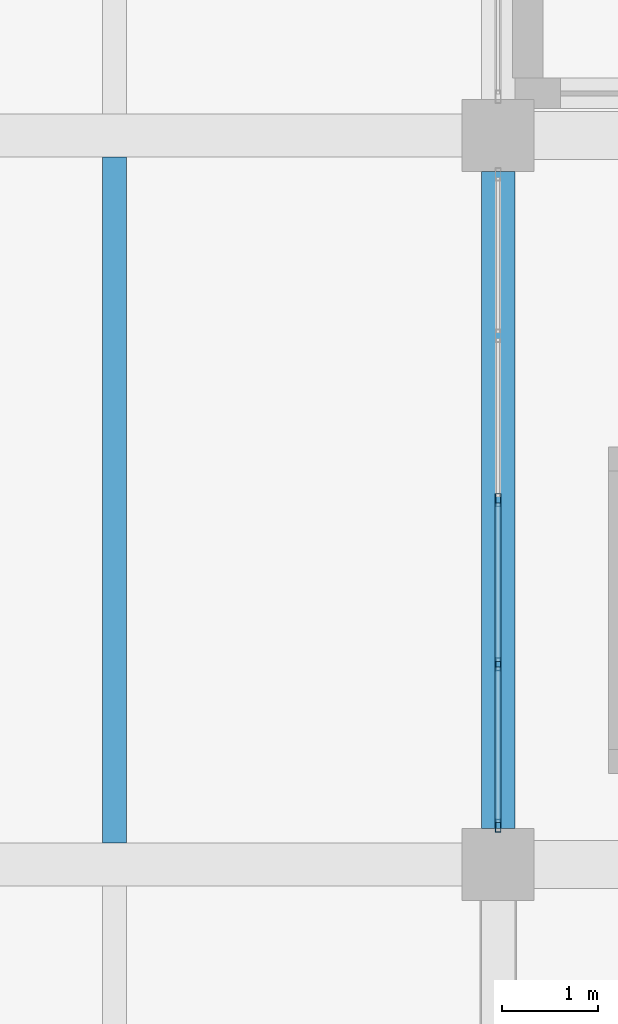
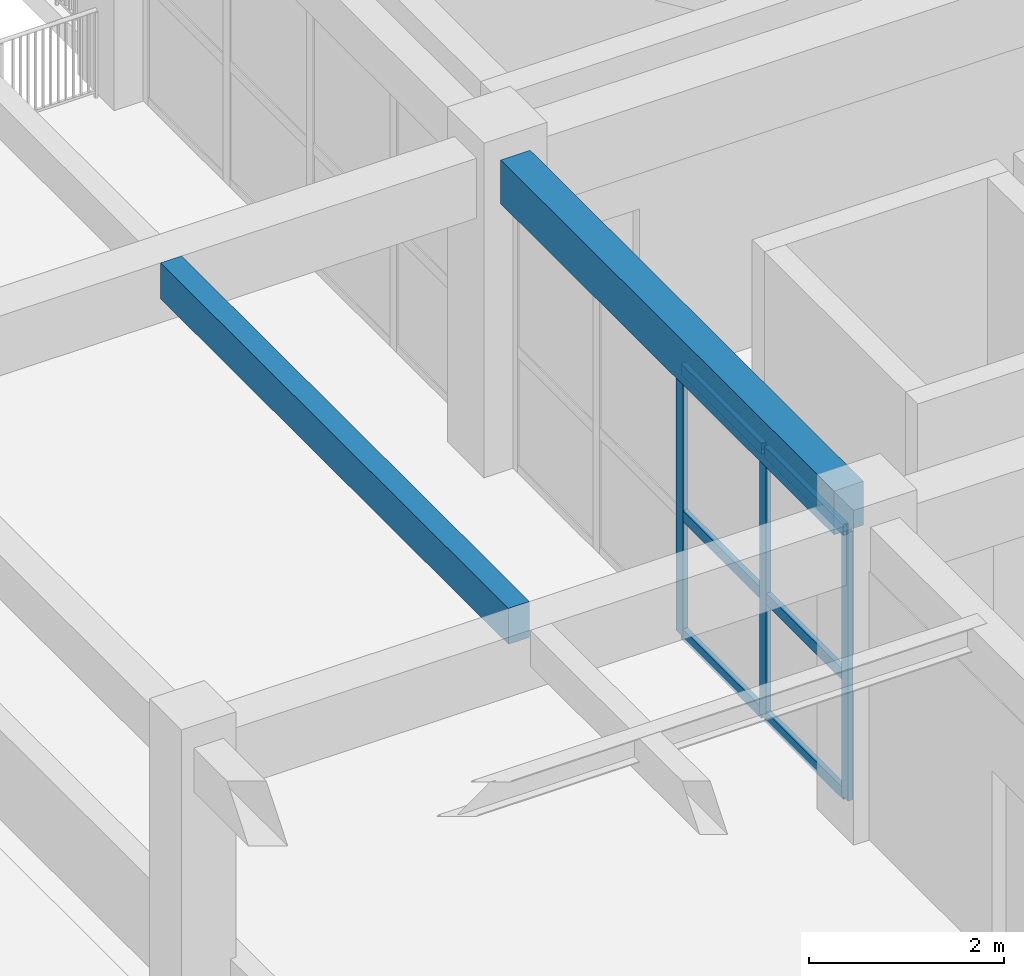
# One storey, part 9 of 63: 9 members, 2 beams, 1 element without a shape of its own.
"""IFC4 building model written with IfcOpenShell, lengths in metres."""

from ifc_helpers import new_model, si_unit, direction, frame, origin, origin_2d, place, context, subcontext, project, spatial, rectangle, hollow_rectangle, extrude, material, material_profile, profile_set, type_object, element, aggregate, save


model = new_model("IFC4")

# Units and contexts
model_context = context("Model", 3, precision=1e-05, world=origin(), true_north=direction((0.0, 1.0)))
body_context = subcontext(model_context, "Body", "Model", "MODEL_VIEW")
ifc_project = project(units=[si_unit("LENGTHUNIT", "METRE"), si_unit("AREAUNIT", "SQUARE_METRE"), si_unit("VOLUMEUNIT", "CUBIC_METRE"), si_unit("PLANEANGLEUNIT", "RADIAN"), si_unit("MASSUNIT", "GRAM", prefix="KILO")], contexts=[model_context])

# Site, building, storey
site_placement = place(None, origin())
site = spatial("IfcSite", under=ifc_project, at=site_placement, CompositionType="ELEMENT")
building_placement = place(site_placement, origin())
building = spatial("IfcBuilding", under=site, at=building_placement, Name="Zantavel Square City Hall", CompositionType="ELEMENT")
storey_placement = place(building_placement, frame((0.0, 0.0, 14.699951171875)))
storey = spatial("IfcBuildingStorey", under=building, at=storey_placement, Name="L04", CompositionType="ELEMENT", Elevation=14.699951171875)

# Curtain wall, members
ifc_material_1 = material(Name="Anodised aluminium 6063-T6", Category="aluminium")
curtain_wall_type = type_object("IfcCurtainWallType", Name="Curtain Wall TRV1 6850x3370", PredefinedType="USERDEFINED", material=ifc_material_1)
curtain_wall_placement = place(storey_placement, origin())
curtain_wall = element("IfcCurtainWall", 1, at=curtain_wall_placement, inside=storey, type_object=curtain_wall_type, Name="L04 Glazed Curtain Wall CW-L04-120", ObjectType="GLAZED CURTAIN WALL", PredefinedType="USERDEFINED")
ifc_material_profile_1 = material_profile(ifc_material_1, hollow_rectangle(XDim=0.06005859375, YDim=0.135009765625, WallThickness=0.00390625, at=origin_2d()), Name="ALU 60x135x4")
ifc_profile_set_1 = profile_set([ifc_material_profile_1], Name="Anodised aluminium 6063-T6")
member_type_1 = type_object("IfcMemberType", Name="CW Mullion ALU 60x135x4", PredefinedType="MULLION", material=ifc_profile_set_1)
member_1_placement = place(storey_placement, frame((64.0, 53.60498046875, 0.0), z_axis=(0.0, 0.0, 1.0), x_axis=(-1.0, 0.0, 0.0)))
member_1 = element("IfcMember", 2, at=member_1_placement, type_object=member_type_1, Name="CW-120 mullion 1", PredefinedType="MULLION", context=body_context, shape_type="SweptSolid", body=[
    extrude(hollow_rectangle(XDim=0.06005859375, YDim=0.135009765625, WallThickness=0.00390625, at=origin_2d()), origin(), (0.0, 0.0, 1.0), 3.3701171875),
])
member_2_placement = place(storey_placement, frame((64.0, 55.28759765625, 0.0), z_axis=(0.0, 0.0, 1.0), x_axis=(-1.0, 0.0, 0.0)))
member_2 = element("IfcMember", 3, at=member_2_placement, type_object=member_type_1, Name="CW-120 mullion 2", PredefinedType="MULLION", context=body_context, shape_type="SweptSolid", body=[
    extrude(hollow_rectangle(XDim=0.06005859375, YDim=0.135009765625, WallThickness=0.00390625, at=origin_2d()), origin(), (0.0, 0.0, 1.0), 3.3701171875),
])
member_3_placement = place(storey_placement, frame((64.0, 57.0, 0.0), z_axis=(0.0, 0.0, 1.0), x_axis=(-1.0, 0.0, 0.0)))
member_3 = element("IfcMember", 4, at=member_3_placement, type_object=member_type_1, Name="CW-120 mullion 3", PredefinedType="MULLION", context=body_context, shape_type="SweptSolid", body=[
    extrude(hollow_rectangle(XDim=0.06005859375, YDim=0.135009765625, WallThickness=0.00390625, at=origin_2d()), origin(), (0.0, 0.0, 1.0), 3.3701171875),
])
ifc_material_profile_2 = material_profile(ifc_material_1, hollow_rectangle(XDim=0.06005859375, YDim=0.139892578125, WallThickness=0.00390625, at=origin_2d()), Name="ALU 60x140x4")
ifc_profile_set_2 = profile_set([ifc_material_profile_2], Name="Anodised aluminium 6063-T6")
member_type_2 = type_object("IfcMemberType", Name="CW Transom ALU 60x140x4", PredefinedType="USERDEFINED", material=ifc_profile_set_2)
member_4_placement = place(storey_placement, frame((64.0, 53.635009765625, 0.030029296875), z_axis=(0.0, 1.0, 0.0), x_axis=(-1.0, 0.0, 0.0)))
member_4 = element("IfcMember", 5, at=member_4_placement, type_object=member_type_2, Name="CW-120 transom 1.1", ObjectType="TRANSOM", PredefinedType="USERDEFINED", context=body_context, shape_type="SweptSolid", body=[
    extrude(hollow_rectangle(XDim=0.06005859375, YDim=0.139892578125, WallThickness=0.00390625, at=origin_2d()), origin(), (0.0, 0.0, 1.0), 1.62255859375),
])
member_5_placement = place(storey_placement, frame((64.0, 53.635009765625, 1.51708984375), z_axis=(0.0, 1.0, 0.0), x_axis=(-1.0, 0.0, 0.0)))
member_5 = element("IfcMember", 6, at=member_5_placement, type_object=member_type_2, Name="CW-120 transom 1.2", ObjectType="TRANSOM", PredefinedType="USERDEFINED", context=body_context, shape_type="SweptSolid", body=[
    extrude(hollow_rectangle(XDim=0.06005859375, YDim=0.139892578125, WallThickness=0.00390625, at=origin_2d()), origin(), (0.0, 0.0, 1.0), 1.62255859375),
])
member_6_placement = place(storey_placement, frame((64.0, 53.635009765625, 3.340087890625), z_axis=(0.0, 1.0, 0.0), x_axis=(-1.0, 0.0, 0.0)))
member_6 = element("IfcMember", 7, at=member_6_placement, type_object=member_type_2, Name="CW-120 transom 1.3", ObjectType="TRANSOM", PredefinedType="USERDEFINED", context=body_context, shape_type="SweptSolid", body=[
    extrude(hollow_rectangle(XDim=0.06005859375, YDim=0.139892578125, WallThickness=0.00390625, at=origin_2d()), origin(), (0.0, 0.0, 1.0), 1.62255859375),
])
member_7_placement = place(storey_placement, frame((64.0, 55.3173828125, 0.030029296875), z_axis=(0.0, 1.0, 0.0), x_axis=(-1.0, 0.0, 0.0)))
member_7 = element("IfcMember", 8, at=member_7_placement, type_object=member_type_2, Name="CW-120 transom 2.1", ObjectType="TRANSOM", PredefinedType="USERDEFINED", context=body_context, shape_type="SweptSolid", body=[
    extrude(hollow_rectangle(XDim=0.06005859375, YDim=0.139892578125, WallThickness=0.00390625, at=origin_2d()), origin(), (0.0, 0.0, 1.0), 1.652587890625),
])
member_8_placement = place(storey_placement, frame((64.0, 55.3173828125, 1.51708984375), z_axis=(0.0, 1.0, 0.0), x_axis=(-1.0, 0.0, 0.0)))
member_8 = element("IfcMember", 9, at=member_8_placement, type_object=member_type_2, Name="CW-120 transom 2.2", ObjectType="TRANSOM", PredefinedType="USERDEFINED", context=body_context, shape_type="SweptSolid", body=[
    extrude(hollow_rectangle(XDim=0.06005859375, YDim=0.139892578125, WallThickness=0.00390625, at=origin_2d()), origin(), (0.0, 0.0, 1.0), 1.652587890625),
])
member_9_placement = place(storey_placement, frame((64.0, 55.3173828125, 3.340087890625), z_axis=(0.0, 1.0, 0.0), x_axis=(-1.0, 0.0, 0.0)))
member_9 = element("IfcMember", 10, at=member_9_placement, type_object=member_type_2, Name="CW-120 transom 2.3", ObjectType="TRANSOM", PredefinedType="USERDEFINED", context=body_context, shape_type="SweptSolid", body=[
    extrude(hollow_rectangle(XDim=0.06005859375, YDim=0.139892578125, WallThickness=0.00390625, at=origin_2d()), origin(), (0.0, 0.0, 1.0), 1.652587890625),
])
aggregate(curtain_wall, [member_1, member_2, member_3, member_4, member_5, member_6, member_7, member_8, member_9])

# Beams
ifc_material_2 = material(Name="Concrete C35/45", Category="concrete")
ifc_material_profile_3 = material_profile(ifc_material_2, rectangle(XDim=0.25, YDim=0.449951171875, at=origin_2d()), Name="RC 250x450")
ifc_profile_set_3 = profile_set([ifc_material_profile_3], Name="Concrete C35/45")
beam_type_1 = type_object("IfcBeamType", Name="Light Floor Joist RC 250x450 C35/45", PredefinedType="JOIST", material=ifc_profile_set_3)
beam_1_placement = place(storey_placement, frame((60.0, 53.425048828125, 3.695068359375), z_axis=(0.0, 1.0, 0.0), x_axis=(-1.0, 0.0, 0.0)))
element("IfcBeam", 11, at=beam_1_placement, inside=storey, type_object=beam_type_1, Name="L04 Floor Joist JST-L04-0600-0532", PredefinedType="JOIST", context=body_context, shape_type="SweptSolid", body=[
    extrude(rectangle(XDim=0.25, YDim=0.449951171875, at=origin_2d()), origin(), (0.0, 0.0, 1.0), 7.14990234375),
])
ifc_material_profile_4 = material_profile(ifc_material_2, rectangle(XDim=0.35009765625, YDim=0.550048828125, at=origin_2d()), Name="RC 350x550")
ifc_profile_set_4 = profile_set([ifc_material_profile_4], Name="Concrete C35/45")
beam_type_2 = type_object("IfcBeamType", Name="Secondary Beam RC 350x550 C35/45", PredefinedType="BEAM", material=ifc_profile_set_4)
beam_2_placement = place(storey_placement, frame((64.0, 53.574951171875, 3.64501953125), z_axis=(0.0, 1.0, 0.0), x_axis=(-1.0, 0.0, 0.0)))
element("IfcBeam", 12, at=beam_2_placement, inside=storey, type_object=beam_type_2, Name="L04 Beam BMY-L04-0640-0532", PredefinedType="BEAM", context=body_context, shape_type="SweptSolid", body=[
    extrude(rectangle(XDim=0.35009765625, YDim=0.550048828125, at=origin_2d()), origin(), (0.0, 0.0, 1.0), 6.85009765625),
])

save(model, "model.ifc")
